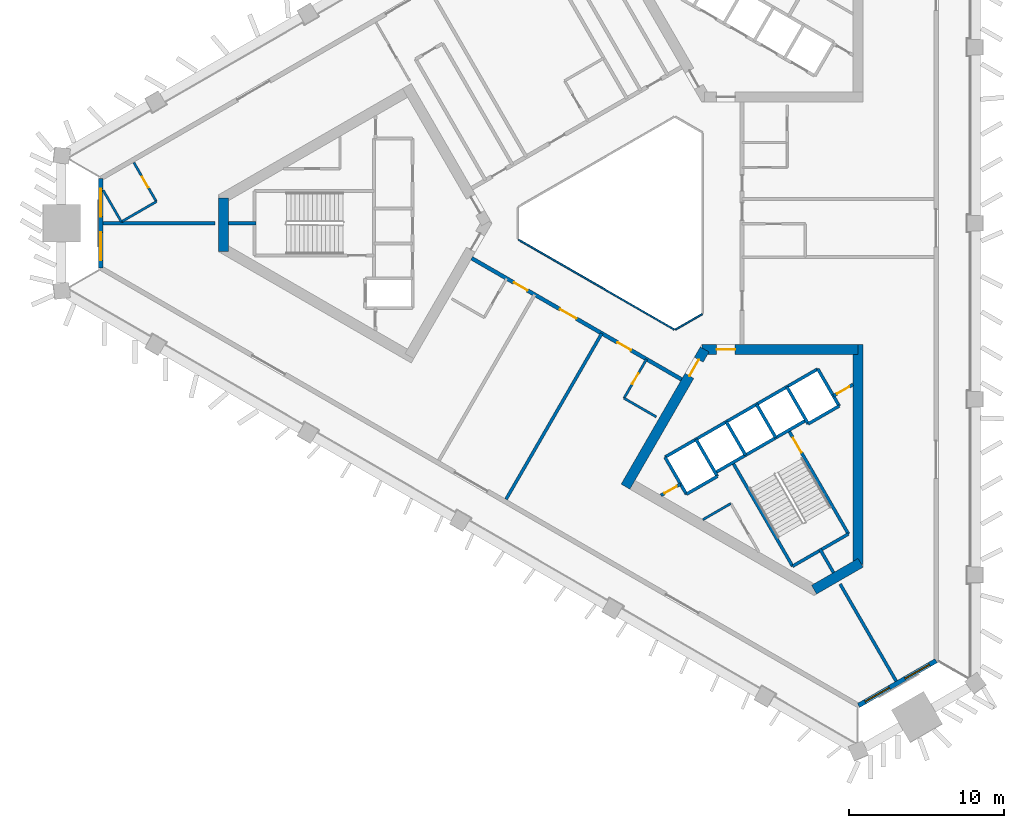
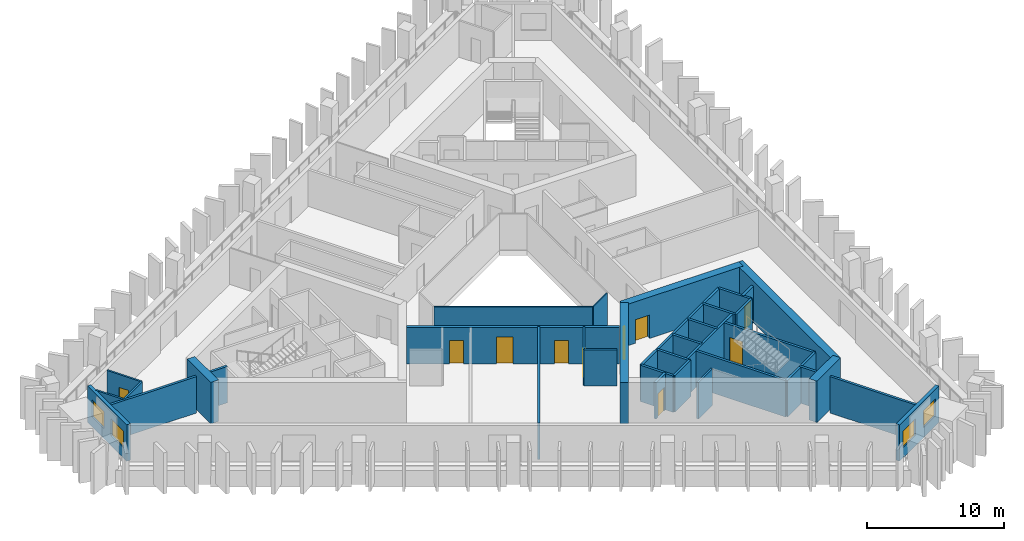
# One storey, part 3 of 10: 36 walls, 10 doors, 4 windows, 14 openings.
"""IFC4 building model written with IfcOpenShell, lengths in metres."""

import ifcopenshell
import ifcopenshell.guid

model = None  # the IFC model being written
_history = None  # IfcOwnerHistory: only IFC2X3 demands one
_inside = {}  # id of a spatial element -> (the spatial element, [elements in it])
_under = {}  # id of a project, library or spatial element -> (it, [spatial elements below it])
_declared = {}  # id of a project -> (the project, [libraries it declares])
_typed = {}  # id of a type object -> (the type object, [elements of that type])
_made_of = {}  # id of a material, layer set ... -> (it, [elements and type objects made of it])


def new_model(schema):
    """Start an empty IFC model of exactly this schema.

    Asked for "IFC4X3", IfcOpenShell would pick the latest addendum, in which some entities
    have other attributes; the version numbers below select the first issue.
    IFC2X3 requires an IfcOwnerHistory on every rooted entity: one is made here for all.
    """
    global model, _history
    if schema == "IFC4X3":
        model = ifcopenshell.file(schema_version=(4, 3, 0, 0))
    else:
        model = ifcopenshell.file(schema=schema)
    _inside.clear()
    _under.clear()
    _declared.clear()
    _typed.clear()
    _made_of.clear()
    _history = None
    if model.schema == "IFC2X3":
        org = make("IfcOrganization", Name="unknown")
        user = make(
            "IfcPersonAndOrganization",
            ThePerson=make("IfcPerson", FamilyName="unknown"),
            TheOrganization=org,
        )
        app = make(
            "IfcApplication",
            ApplicationDeveloper=org,
            Version="unknown",
            ApplicationFullName="unknown",
            ApplicationIdentifier="unknown",
        )
        _history = make(
            "IfcOwnerHistory",
            OwningUser=user,
            OwningApplication=app,
            ChangeAction="ADDED",
            CreationDate=0,
        )
    return model


def make(cls, **values):
    """One entity of the class cls with the attributes given. An attribute that is None is left unset."""
    return model.create_entity(
        cls, **{name: value for name, value in values.items() if value is not None}
    )


def rooted(cls, **values):
    """An entity with a GlobalId (a new one), such as an element, a storey or a relation."""
    return make(cls, GlobalId=ifcopenshell.guid.new(), OwnerHistory=_history, **values)


def si_unit(unit_type, name, prefix=None):
    """IfcSIUnit, for example si_unit("LENGTHUNIT", "METRE", prefix="MILLI")."""
    return make("IfcSIUnit", UnitType=unit_type, Prefix=prefix, Name=name)


def assignment(units):
    """IfcUnitAssignment: the units of a project."""
    return None if units is None else make("IfcUnitAssignment", Units=units)


def point(xyz):
    """IfcCartesianPoint."""
    return None if xyz is None else make("IfcCartesianPoint", Coordinates=xyz)


def direction(xyz):
    """IfcDirection."""
    return None if xyz is None else make("IfcDirection", DirectionRatios=xyz)


def frame(location, z_axis=None, x_axis=None):
    """IfcAxis2Placement3D, a coordinate frame: its origin and axes. An axis left out is left unset."""
    return make(
        "IfcAxis2Placement3D",
        Location=point(location),
        Axis=direction(z_axis),
        RefDirection=direction(x_axis),
    )


def frame_2d(location, x_axis=None):
    """IfcAxis2Placement2D, a coordinate frame in the plane: its origin and x axis."""
    return make(
        "IfcAxis2Placement2D", Location=point(location), RefDirection=direction(x_axis)
    )


def origin():
    """The frame at (0, 0, 0) with its axes left unset."""
    return frame((0.0, 0.0, 0.0))


def place(relative_to, where):
    """IfcLocalPlacement: puts the frame where relative to a parent placement (None: the world)."""
    return make(
        "IfcLocalPlacement", PlacementRelTo=relative_to, RelativePlacement=where
    )


def context(
    kind, dimensions, precision=None, world=None, true_north=None, identifier=None
):
    """IfcGeometricRepresentationContext, for example the 3D "Model" context."""
    return make(
        "IfcGeometricRepresentationContext",
        ContextIdentifier=identifier,
        ContextType=kind,
        CoordinateSpaceDimension=dimensions,
        Precision=precision,
        WorldCoordinateSystem=world,
        TrueNorth=true_north,
    )


def subcontext(parent, identifier, kind, view, scale=None):
    """IfcGeometricRepresentationSubContext, for example "Body" below "Model"."""
    return make(
        "IfcGeometricRepresentationSubContext",
        ContextIdentifier=identifier,
        ContextType=kind,
        ParentContext=parent,
        TargetScale=scale,
        TargetView=view,
    )


def project(units=None, contexts=None):
    """IfcProject with its units and contexts."""
    return rooted(
        "IfcProject",
        Name="project",
        RepresentationContexts=contexts,
        UnitsInContext=assignment(units),
    )


def spatial(cls, under=None, at=None, **own):
    """A site, building, storey or space (cls), placed at a placement, below another one or the project."""
    s = rooted(cls, ObjectPlacement=at, **own)
    if under is not None:
        _under.setdefault(under.id(), (under, []))[1].append(s)
    return s


def profile(cls, at=None, kind="AREA", **sizes):
    """A parametric profile (cls). Its sizes go by their IFC names, for example OverallWidth=200.0."""
    return make(cls, ProfileType=kind, Position=at, **sizes)


def rectangle(**sizes):
    """IfcRectangleProfileDef."""
    return profile("IfcRectangleProfileDef", **sizes)


def extrude(swept, where, along, depth):
    """IfcExtrudedAreaSolid: the profile swept, set in the frame where, extruded along a direction by depth."""
    return make(
        "IfcExtrudedAreaSolid",
        SweptArea=swept,
        Position=where,
        ExtrudedDirection=direction(along),
        Depth=depth,
    )


def shape(context_of_items, identifier, shape_type, items):
    """IfcShapeRepresentation: the items that make up one representation, for example the "Body"."""
    return make(
        "IfcShapeRepresentation",
        ContextOfItems=context_of_items,
        RepresentationIdentifier=identifier,
        RepresentationType=shape_type,
        Items=items,
    )


def material(Name=None, Category=None):
    """IfcMaterial."""
    return make("IfcMaterial", Name=Name, Category=Category)


def layer(
    of_material, thickness, ventilated=None, Name=None, Category=None, Priority=None
):
    """IfcMaterialLayer: one layer of a wall or slab, of a material (None: an air gap)."""
    return make(
        "IfcMaterialLayer",
        Material=of_material,
        LayerThickness=thickness,
        IsVentilated=ventilated,
        Name=Name,
        Category=Category,
        Priority=Priority,
    )


def layer_set(layers, Name=None):
    """IfcMaterialLayerSet."""
    return make("IfcMaterialLayerSet", MaterialLayers=layers, LayerSetName=Name)


def made_of(thing, what):
    """Note that an element or type object is made of a material, layer set ...; save() writes the relation."""
    if what is not None:
        _made_of.setdefault(what.id(), (what, []))[1].append(thing)
    return thing


def type_object(cls, material=None, **own):
    """A type object (cls), such as IfcWallType, which elements share."""
    return made_of(rooted(cls, **own), material)


def element(
    cls,
    number,
    at=None,
    inside=None,
    cuts=None,
    type_object=None,
    material=None,
    context=None,
    identifier="Body",
    shape_type=None,
    held_by="IfcProductDefinitionShape",
    body=None,
    shapes=None,
    **own,
):
    """One element of the class cls, such as IfcWall. Its Tag is "e" and its number.

    at: its placement. inside: the storey or other place that contains it. cuts: it is an
    opening in that element (IfcRelVoidsElement). A single representation is given by context,
    identifier, shape_type and body (its items); several are given by shapes. held_by: the class
    of the entity that holds the representations. save() writes the other relations.
    """
    e = rooted(cls, Tag="e%d" % number, ObjectPlacement=at, **own)
    if body is not None:
        shapes = [shape(context, identifier, shape_type, body)]
    if shapes is not None:
        e.Representation = make(held_by, Representations=shapes)
    if inside is not None:
        _inside.setdefault(inside.id(), (inside, []))[1].append(e)
    if cuts is not None:
        rooted(
            "IfcRelVoidsElement", RelatingBuildingElement=cuts, RelatedOpeningElement=e
        )
    if type_object is not None:
        _typed.setdefault(type_object.id(), (type_object, []))[1].append(e)
    return made_of(e, material)


def fill(opening, filler):
    """IfcRelFillsElement: the door or window that sits in an opening."""
    return rooted(
        "IfcRelFillsElement",
        RelatingOpeningElement=opening,
        RelatedBuildingElement=filler,
    )


def aggregate(whole, parts):
    """IfcRelAggregates: a whole, such as a stair, and the parts it consists of."""
    return rooted("IfcRelAggregates", RelatingObject=whole, RelatedObjects=parts)


def save(model, path):
    """Write the relations noted so far, then the file.

    IfcRelAggregates (storeys below a building ...), IfcRelContainedInSpatialStructure (elements
    in a storey), IfcRelDefinesByType, IfcRelAssociatesMaterial and IfcRelDeclares: one each for
    every whole, place, type object, material and project.
    """
    for whole, parts in _under.values():
        aggregate(whole, parts)
    for where, things in _inside.values():
        rooted(
            "IfcRelContainedInSpatialStructure",
            RelatedElements=things,
            RelatingStructure=where,
        )
    for kind, things in _typed.values():
        rooted("IfcRelDefinesByType", RelatedObjects=things, RelatingType=kind)
    for what, things in _made_of.values():
        rooted("IfcRelAssociatesMaterial", RelatedObjects=things, RelatingMaterial=what)
    for by, libraries in _declared.values():
        rooted("IfcRelDeclares", RelatingContext=by, RelatedDefinitions=libraries)
    model.write(path)


model = new_model("IFC4")

# Units and contexts
model_context = context("Model", 3, precision=1e-05, world=origin(), true_north=direction((0.0, 1.0)))
body_context = subcontext(model_context, "Body", "Model", "MODEL_VIEW")
ifc_project = project(units=[si_unit("LENGTHUNIT", "METRE"), si_unit("AREAUNIT", "SQUARE_METRE"), si_unit("VOLUMEUNIT", "CUBIC_METRE"), si_unit("PLANEANGLEUNIT", "RADIAN"), si_unit("MASSUNIT", "GRAM", prefix="KILO")], contexts=[model_context])

# Site, building, storey
site_placement = place(None, origin())
site = spatial("IfcSite", under=ifc_project, at=site_placement, CompositionType="ELEMENT")
building_placement = place(site_placement, origin())
building = spatial("IfcBuilding", under=site, at=building_placement, Name="Jabali Bay Hotel Tower and Convention Centre", CompositionType="ELEMENT")
storey_placement = place(building_placement, frame((0.0, 0.0, 125.300048828125)))
storey = spatial("IfcBuildingStorey", under=building, at=storey_placement, Name="L30", CompositionType="ELEMENT", Elevation=125.300048828125)

# Walls
ifc_material_1 = material(Name="Fire-resistant glazing", Category="glass")
ifc_layer_1 = layer(ifc_material_1, 0.10009765625)
ifc_layer_set_1 = layer_set([ifc_layer_1], Name="Fire-resistant glazing")
wall_type_1 = type_object("IfcWallType", Name="Atrium glazed screen 100", PredefinedType="PARTITIONING", material=ifc_layer_set_1)
wall_1_placement = place(storey_placement, frame((67.7021484375, 78.947998046875, 0.0), z_axis=(0.0, 0.0, 1.0), x_axis=(0.866026658274, -0.499997827154, 0.0)))
element("IfcWall", 1, at=wall_1_placement, inside=storey, type_object=wall_type_1, Name="Atrium screen 5 L30", PredefinedType="PARTITIONING", context=body_context, shape_type="SweptSolid", body=[
    extrude(rectangle(XDim=11.58837890625, YDim=0.10009765625, at=frame_2d((5.794189453125, 0.0))), origin(), (0.0, 0.0, 1.0), 3.25),
])
wall_2_placement = place(storey_placement, frame((77.7978515625, 73.15380859375, 0.0), z_axis=(0.0, 0.0, 1.0), x_axis=(0.866041268327, 0.499972520799, 0.0)))
element("IfcWall", 2, at=wall_2_placement, inside=storey, type_object=wall_type_1, Name="Atrium screen 6 L30", PredefinedType="PARTITIONING", context=body_context, shape_type="SweptSolid", body=[
    extrude(rectangle(XDim=2.0, YDim=0.10009765625, at=frame_2d((1.0, 0.0))), origin(), (0.0, 0.0, 1.0), 3.25),
])
ifc_material_2 = material(Name="Concrete C40", Category="concrete")
ifc_layer_2 = layer(ifc_material_2, 0.199951171875)
ifc_layer_set_2 = layer_set([ifc_layer_2], Name="Concrete C40")
wall_type_2 = type_object("IfcWallType", Name="Core partition wall 200", PredefinedType="PARTITIONING", material=ifc_layer_set_2)
for number, where, z_axis, x_axis, name in (
    (3, (50.820068359375, 80.0, 0.0), (0.0, 0.0, 1.0), (-1.0, 0.0, 0.0), "Core wall 0.4 L30"),
    (4, (87.090087890625, 59.0595703125, 0.0), (0.0, 0.0, 1.0), (0.499944938281, -0.866057191349, 0.0), "Core wall 2.5 L30"),
):
    element("IfcWall", number, at=place(storey_placement, frame(where, z_axis=z_axis, x_axis=x_axis)), inside=storey, type_object=wall_type_2, Name=name, PredefinedType="PARTITIONING", context=body_context, shape_type="SweptSolid", body=[
        extrude(rectangle(XDim=1.773193359375, YDim=0.199951171875, at=frame_2d((0.88671875, 0.0))), origin(), (0.0, 0.0, 1.0), 3.25),
    ])

# Wall, opening, door
wall_3_placement = place(storey_placement, frame((76.869873046875, 62.489013671875, 0.0), z_axis=(0.0, 0.0, 1.0), x_axis=(0.866054810376, 0.49994906283, 0.0)))
wall_3 = element("IfcWall", 5, at=wall_3_placement, inside=storey, type_object=wall_type_2, Name="Core wall 2.11 L30", PredefinedType="PARTITIONING", context=body_context, shape_type="SweptSolid", body=[
    extrude(rectangle(XDim=1.461181640625, YDim=0.199951171875, at=frame_2d((0.73046875, 0.0))), origin(), (0.0, 0.0, 1.0), 3.25),
])
opening_1_placement = place(wall_3_placement, frame((0.280517578125, 0.0, 0.0)))
opening_1 = element("IfcOpeningElement", 6, at=opening_1_placement, cuts=wall_3, Name="Opening D677", PredefinedType="OPENING", context=body_context, shape_type="SweptSolid", body=[
    extrude(rectangle(XDim=0.89990234375, YDim=2.10009765625, at=frame_2d((0.449951171875, 1.050048828125))), frame((0.0, 0.1103515625, 0.0), z_axis=(0.0, -1.0, 0.0), x_axis=(1.0, 0.0, 0.0)), (0.0, 0.0, 1.0), 0.220947265625),
])
ifc_material_3 = material(Name="Fire-rated steel door", Category="steel")
door_type_1 = type_object("IfcDoorType", Name="Vestibule fire door 900 x 2100", OperationType="NOTDEFINED", PredefinedType="NOTDEFINED", material=ifc_material_3)
door_1_placement = place(opening_1_placement, origin())
door_1 = element("IfcDoor", 7, at=door_1_placement, inside=storey, type_object=door_type_1, Name="Vestibule fire door D677", OperationType="SINGLE_SWING_LEFT", OverallHeight=2.10009765625, OverallWidth=0.89990234375, PredefinedType="NOTDEFINED", context=body_context, shape_type="SweptSolid", body=[
    extrude(rectangle(XDim=0.89990234375, YDim=2.10009765625, at=frame_2d((0.449951171875, 1.050048828125))), frame((0.0, 0.02490234375, 0.0), z_axis=(0.0, -1.0, 0.0), x_axis=(1.0, 0.0, 0.0)), (0.0, 0.0, 1.0), 0.050048828125),
])
fill(opening_1, door_1)

wall_4_placement = place(storey_placement, frame((87.964599609375, 68.89453125, 0.0), z_axis=(0.0, 0.0, 1.0), x_axis=(0.866054810376, 0.49994906283, 0.0)))
wall_4 = element("IfcWall", 8, at=wall_4_placement, inside=storey, type_object=wall_type_2, Name="Core wall 2.12 L30", PredefinedType="PARTITIONING", context=body_context, shape_type="SweptSolid", body=[
    extrude(rectangle(XDim=1.461181640625, YDim=0.199951171875, at=frame_2d((0.73046875, 0.0))), origin(), (0.0, 0.0, 1.0), 3.25),
])
opening_2_placement = place(wall_4_placement, frame((0.280517578125, 0.0, 0.0)))
opening_2 = element("IfcOpeningElement", 9, at=opening_2_placement, cuts=wall_4, Name="Opening D676", PredefinedType="OPENING", context=body_context, shape_type="SweptSolid", body=[
    extrude(rectangle(XDim=0.89990234375, YDim=2.10009765625, at=frame_2d((0.449951171875, 1.050048828125))), frame((0.0, 0.1103515625, 0.0), z_axis=(0.0, -1.0, 0.0), x_axis=(1.0, 0.0, 0.0)), (0.0, 0.0, 1.0), 0.220947265625),
])
door_2_placement = place(opening_2_placement, origin())
door_2 = element("IfcDoor", 10, at=door_2_placement, inside=storey, type_object=door_type_1, Name="Vestibule fire door D676", OperationType="SINGLE_SWING_LEFT", OverallHeight=2.10009765625, OverallWidth=0.89990234375, PredefinedType="NOTDEFINED", context=body_context, shape_type="SweptSolid", body=[
    extrude(rectangle(XDim=0.89990234375, YDim=2.10009765625, at=frame_2d((0.449951171875, 1.050048828125))), frame((0.0, 0.02490234375, 0.0), z_axis=(0.0, -1.0, 0.0), x_axis=(1.0, 0.0, 0.0)), (0.0, 0.0, 1.0), 0.050048828125),
])
fill(opening_2, door_2)

# Walls
ifc_material_4 = material(Name="Fire-rated board partition")
ifc_layer_3 = layer(ifc_material_4, 0.14990234375)
ifc_layer_set_3 = layer_set([ifc_layer_3], Name="Fire-rated board partition")
wall_type_3 = type_object("IfcWallType", Name="Core room partition 150", PredefinedType="PARTITIONING", material=ifc_layer_set_3)
wall_5_placement = place(storey_placement, frame((79.570068359375, 60.93017578125, 0.0), z_axis=(0.0, 0.0, 1.0), x_axis=(0.866021168401, 0.500007335828, 0.0)))
element("IfcWall", 11, at=wall_5_placement, inside=storey, type_object=wall_type_3, Name="Core wall 2.16 L30", PredefinedType="PARTITIONING", context=body_context, shape_type="SweptSolid", body=[
    extrude(rectangle(XDim=2.0771484375, YDim=0.14990234375, at=frame_2d((1.03857421875, 0.0))), origin(), (0.0, 0.0, 1.0), 3.25),
])
ifc_layer_4 = layer(ifc_material_2, 0.199951171875)
ifc_layer_set_4 = layer_set([ifc_layer_4], Name="Concrete C40")
wall_type_4 = type_object("IfcWallType", Name="Core stair wall 200", PredefinedType="SOLIDWALL", material=ifc_layer_set_4)
for number, where, z_axis, x_axis, name in (
    (12, (77.13525390625, 64.95166015625, 0.0), (0.0, 0.0, 1.0), (0.499996545922, -0.866027397988, 0.0), "Core wall 2.0 L30"),
    (13, (79.127197265625, 66.1015625, 0.0), (0.0, 0.0, 1.0), (0.499996545922, -0.866027397988, 0.0), "Core wall 2.2 L30"),
):
    element("IfcWall", number, at=place(storey_placement, frame(where, z_axis=z_axis, x_axis=x_axis)), inside=storey, type_object=wall_type_4, Name=name, PredefinedType="SOLIDWALL", context=body_context, shape_type="SweptSolid", body=[
        extrude(rectangle(XDim=2.75, YDim=0.199951171875, at=frame_2d((1.375, 0.0))), origin(), (0.0, 0.0, 1.0), 3.25),
    ])
wall_6_placement = place(storey_placement, frame((81.492919921875, 64.603759765625, 0.0), z_axis=(0.0, 0.0, 1.0), x_axis=(0.500006057782, -0.866021906294, 0.0)))
element("IfcWall", 14, at=wall_6_placement, inside=storey, type_object=wall_type_4, Name="Core wall 2.3 L30", PredefinedType="SOLIDWALL", context=body_context, shape_type="SweptSolid", body=[
    extrude(rectangle(XDim=7.7001953125, YDim=0.199951171875, at=frame_2d((3.85009765625, 0.0))), origin(), (0.0, 0.0, 1.0), 3.25),
])
for number, where, z_axis, x_axis, name in (
    (15, (81.07568359375, 67.2265625, 0.0), (0.0, 0.0, 1.0), (0.50000366821, -0.866023285932, 0.0), "Core wall 2.4 L30"),
    (16, (83.024169921875, 68.3515625, 0.0), (0.0, 0.0, 1.0), (0.50000366821, -0.866023285932, 0.0), "Core wall 2.6 L30"),
):
    element("IfcWall", number, at=place(storey_placement, frame(where, z_axis=z_axis, x_axis=x_axis)), inside=storey, type_object=wall_type_4, Name=name, PredefinedType="SOLIDWALL", context=body_context, shape_type="SweptSolid", body=[
        extrude(rectangle(XDim=2.47998046875, YDim=0.199951171875, at=frame_2d((1.239990234375, 0.0))), origin(), (0.0, 0.0, 1.0), 3.25),
    ])

# Wall, opening, door
wall_7_placement = place(storey_placement, frame((85.0869140625, 66.6787109375, 0.0), z_axis=(0.0, 0.0, 1.0), x_axis=(0.500019787375, -0.866013979237, 0.0)))
wall_7 = element("IfcWall", 17, at=wall_7_placement, inside=storey, type_object=wall_type_4, Name="Core wall 2.7 L30", PredefinedType="SOLIDWALL", context=body_context, shape_type="SweptSolid", body=[
    extrude(rectangle(XDim=7.699951171875, YDim=0.199951171875, at=frame_2d((3.85009765625, 0.0))), origin(), (0.0, 0.0, 1.0), 3.25),
])
opening_3_placement = place(wall_7_placement, frame((0.550048828125, 0.0, 0.0)))
opening_3 = element("IfcOpeningElement", 18, at=opening_3_placement, cuts=wall_7, Name="Opening D678", PredefinedType="OPENING", context=body_context, shape_type="SweptSolid", body=[
    extrude(rectangle(XDim=1.10009765625, YDim=2.10009765625, at=frame_2d((0.550048828125, 1.050048828125))), frame((0.0, 0.1103515625, 0.0), z_axis=(0.0, -1.0, 0.0), x_axis=(1.0, 0.0, 0.0)), (0.0, 0.0, 1.0), 0.220947265625),
])
door_type_2 = type_object("IfcDoorType", Name="Stair fire door 1100 x 2100", OperationType="NOTDEFINED", PredefinedType="NOTDEFINED", material=ifc_material_3)
door_3_placement = place(opening_3_placement, origin())
door_3 = element("IfcDoor", 19, at=door_3_placement, inside=storey, type_object=door_type_2, Name="Stair fire door D678", OperationType="SINGLE_SWING_RIGHT", OverallHeight=2.10009765625, OverallWidth=1.10009765625, PredefinedType="NOTDEFINED", context=body_context, shape_type="SweptSolid", body=[
    extrude(rectangle(XDim=1.10009765625, YDim=2.10009765625, at=frame_2d((0.550048828125, 1.050048828125))), frame((0.0, 0.02490234375, 0.0), z_axis=(0.0, -1.0, 0.0), x_axis=(1.0, 0.0, 0.0)), (0.0, 0.0, 1.0), 0.050048828125),
])
fill(opening_3, door_3)

# Walls
for number, where, z_axis, x_axis, name in (
    (20, (84.972900390625, 69.4765625, 0.0), (0.0, 0.0, 1.0), (0.499996545922, -0.866027397988, 0.0), "Core wall 2.8 L30"),
    (21, (86.964599609375, 70.62646484375, 0.0), (0.0, 0.0, 1.0), (0.499996545922, -0.866027397988, 0.0), "Core wall 2.9 L30"),
):
    element("IfcWall", number, at=place(storey_placement, frame(where, z_axis=z_axis, x_axis=x_axis)), inside=storey, type_object=wall_type_4, Name=name, PredefinedType="SOLIDWALL", context=body_context, shape_type="SweptSolid", body=[
        extrude(rectangle(XDim=2.75, YDim=0.199951171875, at=frame_2d((1.375, 0.0))), origin(), (0.0, 0.0, 1.0), 3.25),
    ])
wall_8_placement = place(storey_placement, frame((77.13525390625, 64.95166015625, 0.0), z_axis=(0.0, 0.0, 1.0), x_axis=(0.866031916153, 0.499988720078, 0.0)))
element("IfcWall", 22, at=wall_8_placement, inside=storey, type_object=wall_type_4, Name="Core wall 2.10 L30", PredefinedType="SOLIDWALL", context=body_context, shape_type="SweptSolid", body=[
    extrude(rectangle(XDim=11.349853515625, YDim=0.199951171875, at=frame_2d((5.6748046875, 0.0))), origin(), (0.0, 0.0, 1.0), 3.25),
])
wall_9_placement = place(storey_placement, frame((80.3671875, 63.953857421875, 0.0), z_axis=(0.0, 0.0, 1.0), x_axis=(0.866026575979, 0.499997969693, 0.0)))
element("IfcWall", 23, at=wall_9_placement, inside=storey, type_object=wall_type_4, Name="Core wall 2.13 L30", PredefinedType="SOLIDWALL", context=body_context, shape_type="SweptSolid", body=[
    extrude(rectangle(XDim=6.75, YDim=0.199951171875, at=frame_2d((3.375, 0.0))), origin(), (0.0, 0.0, 1.0), 3.25),
])
wall_10_placement = place(storey_placement, frame((78.51025390625, 62.570068359375, 0.0), z_axis=(0.0, 0.0, 1.0), x_axis=(0.866053019151, 0.499952165731, 0.0)))
element("IfcWall", 24, at=wall_10_placement, inside=storey, type_object=wall_type_4, Name="Core wall 2.14 L30", PredefinedType="SOLIDWALL", context=body_context, shape_type="SweptSolid", body=[
    extrude(rectangle(XDim=2.300048828125, YDim=0.199951171875, at=frame_2d((1.14990234375, 0.0))), origin(), (0.0, 0.0, 1.0), 3.25),
])
wall_11_placement = place(storey_placement, frame((86.347900390625, 67.094970703125, 0.0), z_axis=(0.0, 0.0, 1.0), x_axis=(0.86602648383, 0.499998129301, 0.0)))
element("IfcWall", 25, at=wall_11_placement, inside=storey, type_object=wall_type_4, Name="Core wall 2.15 L30", PredefinedType="SOLIDWALL", context=body_context, shape_type="SweptSolid", body=[
    extrude(rectangle(XDim=2.2998046875, YDim=0.199951171875, at=frame_2d((1.14990234375, 0.0))), origin(), (0.0, 0.0, 1.0), 3.25),
])
wall_12_placement = place(storey_placement, frame((85.343017578125, 57.935302734375, 0.0), z_axis=(0.0, 0.0, 1.0), x_axis=(0.866004344652, 0.500036473714, 0.0)))
element("IfcWall", 26, at=wall_12_placement, inside=storey, type_object=wall_type_4, Name="Core wall 2.17 L30", PredefinedType="SOLIDWALL", context=body_context, shape_type="SweptSolid", body=[
    extrude(rectangle(XDim=4.150146484375, YDim=0.199951171875, at=frame_2d((2.0751953125, 0.0))), origin(), (0.0, 0.0, 1.0), 3.25),
])
ifc_material_5 = material(Name="Concrete C60", Category="concrete")
ifc_layer_5 = layer(ifc_material_5, 0.64990234375)
ifc_layer_set_5 = layer_set([ifc_layer_5], Name="Concrete C60")
wall_type_5 = type_object("IfcWallType", Name="Core wall 650", PredefinedType="SHEAR", material=ifc_layer_set_5)
wall_13_placement = place(storey_placement, frame((48.721923828125, 81.635009765625, 0.0), z_axis=(0.0, 0.0, 1.0), x_axis=(0.0, -1.0, 0.0)))
element("IfcWall", 27, at=wall_13_placement, inside=storey, type_object=wall_type_5, Name="Core wall 1.3 L30", PredefinedType="SHEAR", context=body_context, shape_type="SweptSolid", body=[
    extrude(rectangle(XDim=3.457763671875, YDim=0.64990234375, at=frame_2d((1.72900390625, 0.0))), origin(), (0.0, 0.0, 1.0), 3.699951171875),
])

# Wall, opening, door
wall_14_placement = place(storey_placement, frame((79.687744140625, 71.880859375, 0.0), z_axis=(0.0, 0.0, 1.0), x_axis=(-0.49999822179, -0.866026430432, 0.0)))
wall_14 = element("IfcWall", 28, at=wall_14_placement, inside=storey, type_object=wall_type_5, Name="Core wall 3.1 L30", PredefinedType="SHEAR", context=body_context, shape_type="SweptSolid", body=[
    extrude(rectangle(XDim=10.1923828125, YDim=0.64990234375, at=frame_2d((5.09619140625, 0.0))), origin(), (0.0, 0.0, 1.0), 3.699951171875),
])
opening_4_placement = place(wall_14_placement, frame((0.762451171875, 0.0, 0.0)))
opening_4 = element("IfcOpeningElement", 29, at=opening_4_placement, cuts=wall_14, Name="Opening D674", PredefinedType="OPENING", context=body_context, shape_type="SweptSolid", body=[
    extrude(rectangle(XDim=1.199951171875, YDim=2.10009765625, at=frame_2d((0.60009765625, 1.050048828125))), frame((0.0, 0.33544921875, 0.0), z_axis=(0.0, -1.0, 0.0), x_axis=(1.0, 0.0, 0.0)), (0.0, 0.0, 1.0), 0.6708984375),
])
door_type_3 = type_object("IfcDoorType", Name="Corridor end fire door 1200 x 2100", OperationType="NOTDEFINED", PredefinedType="NOTDEFINED", material=ifc_material_3)
door_4_placement = place(opening_4_placement, origin())
door_4 = element("IfcDoor", 30, at=door_4_placement, inside=storey, type_object=door_type_3, Name="Corridor end fire door D674", OperationType="SINGLE_SWING_RIGHT", OverallHeight=2.10009765625, OverallWidth=1.199951171875, PredefinedType="NOTDEFINED", context=body_context, shape_type="SweptSolid", body=[
    extrude(rectangle(XDim=1.199951171875, YDim=2.10009765625, at=frame_2d((0.60009765625, 1.050048828125))), frame((0.0, 0.02490234375, 0.0), z_axis=(0.0, -1.0, 0.0), x_axis=(1.0, 0.0, 0.0)), (0.0, 0.0, 1.0), 0.050048828125),
])
fill(opening_4, door_4)

# Walls
wall_15_placement = place(storey_placement, frame((86.72314453125, 56.425048828125, 0.0), z_axis=(0.0, 0.0, 1.0), x_axis=(0.866031550877, 0.499989352773, 0.0)))
element("IfcWall", 31, at=wall_15_placement, inside=storey, type_object=wall_type_5, Name="Core wall 3.3 L30", PredefinedType="SHEAR", context=body_context, shape_type="SweptSolid", body=[
    extrude(rectangle(XDim=3.45751953125, YDim=0.64990234375, at=frame_2d((1.728759765625, 0.0))), origin(), (0.0, 0.0, 1.0), 3.699951171875),
])
wall_16_placement = place(storey_placement, frame((89.554931640625, 58.06005859375, 0.0), z_axis=(0.0, 0.0, 1.0), x_axis=(0.0, 1.0, 0.0)))
element("IfcWall", 32, at=wall_16_placement, inside=storey, type_object=wall_type_5, Name="Core wall 3.4 L30", PredefinedType="SHEAR", context=body_context, shape_type="SweptSolid", body=[
    extrude(rectangle(XDim=14.145751953125, YDim=0.64990234375, at=frame_2d((7.07275390625, 0.0))), origin(), (0.0, 0.0, 1.0), 3.699951171875),
])

# Wall, opening, door
wall_17_placement = place(storey_placement, frame((89.554931640625, 71.880859375, 0.0), z_axis=(0.0, 0.0, 1.0), x_axis=(-1.0, 0.0, 0.0)))
wall_17 = element("IfcWall", 33, at=wall_17_placement, inside=storey, type_object=wall_type_5, Name="Core wall 3.5 L30", PredefinedType="SHEAR", context=body_context, shape_type="SweptSolid", body=[
    extrude(rectangle(XDim=10.054931640625, YDim=0.64990234375, at=frame_2d((5.02734375, 0.0))), origin(), (0.0, 0.0, 1.0), 3.699951171875),
])
opening_5_placement = place(wall_17_placement, frame((7.905029296875, 0.0, 0.0)))
opening_5 = element("IfcOpeningElement", 34, at=opening_5_placement, cuts=wall_17, Name="Opening D675", PredefinedType="OPENING", context=body_context, shape_type="SweptSolid", body=[
    extrude(rectangle(XDim=1.199951171875, YDim=2.10009765625, at=frame_2d((0.60009765625, 1.050048828125))), frame((0.0, 0.33544921875, 0.0), z_axis=(0.0, -1.0, 0.0), x_axis=(1.0, 0.0, 0.0)), (0.0, 0.0, 1.0), 0.6708984375),
])
door_5_placement = place(opening_5_placement, origin())
door_5 = element("IfcDoor", 35, at=door_5_placement, inside=storey, type_object=door_type_3, Name="Corridor end fire door D675", OperationType="SINGLE_SWING_LEFT", OverallHeight=2.10009765625, OverallWidth=1.199951171875, PredefinedType="NOTDEFINED", context=body_context, shape_type="SweptSolid", body=[
    extrude(rectangle(XDim=1.199951171875, YDim=2.10009765625, at=frame_2d((0.60009765625, 1.050048828125))), frame((0.0, 0.02490234375, 0.0), z_axis=(0.0, -1.0, 0.0), x_axis=(1.0, 0.0, 0.0)), (0.0, 0.0, 1.0), 0.050048828125),
])
fill(opening_5, door_5)

# Wall, openings, doors
ifc_layer_6 = layer(ifc_material_5, 0.25)
ifc_layer_set_6 = layer_set([ifc_layer_6], Name="Concrete C60")
wall_type_6 = type_object("IfcWallType", Name="Corridor wall 250", PredefinedType="SHEAR", material=ifc_layer_set_6)
wall_18_placement = place(storey_placement, frame((64.699951171875, 77.748291015625, 0.0), z_axis=(0.0, 0.0, 1.0), x_axis=(0.866026492143, -0.499998114903, 0.0)))
wall_18 = element("IfcWall", 36, at=wall_18_placement, inside=storey, type_object=wall_type_6, Name="Corridor wall 3 L30", PredefinedType="SHEAR", context=body_context, shape_type="SweptSolid", body=[
    extrude(rectangle(XDim=15.58837890625, YDim=0.25, at=frame_2d((7.794189453125, 0.0))), origin(), (0.0, 0.0, 1.0), 3.25),
])
opening_6_placement = place(wall_18_placement, frame((3.13818359375, 0.0, 0.0)))
opening_6 = element("IfcOpeningElement", 37, at=opening_6_placement, cuts=wall_18, Name="Opening 3018", PredefinedType="OPENING", context=body_context, shape_type="SweptSolid", body=[
    extrude(rectangle(XDim=1.0, YDim=2.10009765625, at=frame_2d((0.5, 1.050048828125))), frame((0.0, 0.135498046875, 0.0), z_axis=(0.0, -1.0, 0.0), x_axis=(1.0, 0.0, 0.0)), (0.0, 0.0, 1.0), 0.27099609375),
])
opening_7_placement = place(wall_18_placement, frame((6.57080078125, 0.0, 0.0)))
opening_7 = element("IfcOpeningElement", 38, at=opening_7_placement, cuts=wall_18, Name="Opening 3019", PredefinedType="OPENING", context=body_context, shape_type="SweptSolid", body=[
    extrude(rectangle(XDim=1.199951171875, YDim=2.39990234375, at=frame_2d((0.60009765625, 1.199951171875))), frame((0.0, 0.135498046875, 0.0), z_axis=(0.0, -1.0, 0.0), x_axis=(1.0, 0.0, 0.0)), (0.0, 0.0, 1.0), 0.27099609375),
])
opening_8_placement = place(wall_18_placement, frame((10.82666015625, 0.0, 0.0)))
opening_8 = element("IfcOpeningElement", 39, at=opening_8_placement, cuts=wall_18, Name="Opening 3021", PredefinedType="OPENING", context=body_context, shape_type="SweptSolid", body=[
    extrude(rectangle(XDim=1.0, YDim=2.10009765625, at=frame_2d((0.5, 1.050048828125))), frame((0.0, 0.135498046875, 0.0), z_axis=(0.0, -1.0, 0.0), x_axis=(1.0, 0.0, 0.0)), (0.0, 0.0, 1.0), 0.27099609375),
])
ifc_material_6 = material(Name="Timber", Category="wood")
door_type_4 = type_object("IfcDoorType", Name="Guest room door 1000 x 2100", OperationType="NOTDEFINED", PredefinedType="NOTDEFINED", material=ifc_material_6)
door_6_placement = place(opening_6_placement, origin())
door_6 = element("IfcDoor", 40, at=door_6_placement, inside=storey, type_object=door_type_4, Name="Door 3018", OperationType="SINGLE_SWING_LEFT", OverallHeight=2.10009765625, OverallWidth=1.0, PredefinedType="NOTDEFINED", context=body_context, shape_type="SweptSolid", body=[
    extrude(rectangle(XDim=1.0, YDim=2.10009765625, at=frame_2d((0.5, 1.050048828125))), frame((0.0, 0.02490234375, 0.0), z_axis=(0.0, -1.0, 0.0), x_axis=(1.0, 0.0, 0.0)), (0.0, 0.0, 1.0), 0.050048828125),
])
fill(opening_6, door_6)
door_7_placement = place(opening_8_placement, origin())
door_7 = element("IfcDoor", 41, at=door_7_placement, inside=storey, type_object=door_type_4, Name="Door 3021", OperationType="SINGLE_SWING_RIGHT", OverallHeight=2.10009765625, OverallWidth=1.0, PredefinedType="NOTDEFINED", context=body_context, shape_type="SweptSolid", body=[
    extrude(rectangle(XDim=1.0, YDim=2.10009765625, at=frame_2d((0.5, 1.050048828125))), frame((0.0, 0.02490234375, 0.0), z_axis=(0.0, -1.0, 0.0), x_axis=(1.0, 0.0, 0.0)), (0.0, 0.0, 1.0), 0.050048828125),
])
fill(opening_8, door_7)
door_type_5 = type_object("IfcDoorType", Name="Public room door 1200 x 2400", OperationType="NOTDEFINED", PredefinedType="NOTDEFINED", material=ifc_material_6)
door_8_placement = place(opening_7_placement, origin())
door_8 = element("IfcDoor", 42, at=door_8_placement, inside=storey, type_object=door_type_5, Name="Door 3019", OperationType="SINGLE_SWING_LEFT", OverallHeight=2.39990234375, OverallWidth=1.199951171875, PredefinedType="NOTDEFINED", context=body_context, shape_type="SweptSolid", body=[
    extrude(rectangle(XDim=1.199951171875, YDim=2.39990234375, at=frame_2d((0.60009765625, 1.199951171875))), frame((0.0, 0.02490234375, 0.0), z_axis=(0.0, -1.0, 0.0), x_axis=(1.0, 0.0, 0.0)), (0.0, 0.0, 1.0), 0.050048828125),
])
fill(opening_7, door_8)

# Wall, openings, windows
ifc_layer_7 = layer(ifc_material_2, 0.300048828125)
ifc_layer_set_7 = layer_set([ifc_layer_7], Name="Concrete C40")
wall_type_7 = type_object("IfcWallType", Name="External wall 300", PredefinedType="SOLIDWALL", material=ifc_layer_set_7)
wall_19_placement = place(storey_placement, frame((40.836181640625, 77.1201171875, 0.0), z_axis=(0.0, 0.0, 1.0), x_axis=(0.0, 1.0, 0.0)))
wall_19 = element("IfcWall", 43, at=wall_19_placement, inside=storey, type_object=wall_type_7, Name="External wall west chamfer L30", PredefinedType="SOLIDWALL", context=body_context, shape_type="SweptSolid", body=[
    extrude(rectangle(XDim=5.759765625, YDim=0.300048828125, at=frame_2d((2.8798828125, 0.0))), origin(), (0.0, 0.0, 1.0), 3.25),
])
opening_9_placement = place(wall_19_placement, frame((3.302978515625, 0.0, 0.89990234375)))
opening_9 = element("IfcOpeningElement", 44, at=opening_9_placement, cuts=wall_19, Name="Opening W1", PredefinedType="OPENING", context=body_context, shape_type="SweptSolid", body=[
    extrude(rectangle(XDim=1.800048828125, YDim=1.5, at=frame_2d((0.89990234375, 0.75))), frame((0.0, 0.16064453125, 0.0), z_axis=(0.0, -1.0, 0.0), x_axis=(1.0, 0.0, 0.0)), (0.0, 0.0, 1.0), 0.321044921875),
])
opening_10_placement = place(wall_19_placement, frame((0.4970703125, 0.0, 0.89990234375)))
opening_10 = element("IfcOpeningElement", 45, at=opening_10_placement, cuts=wall_19, Name="Opening W1", PredefinedType="OPENING", context=body_context, shape_type="SweptSolid", body=[
    extrude(rectangle(XDim=1.800048828125, YDim=1.5, at=frame_2d((0.89990234375, 0.75))), frame((0.0, 0.16064453125, 0.0), z_axis=(0.0, -1.0, 0.0), x_axis=(1.0, 0.0, 0.0)), (0.0, 0.0, 1.0), 0.321044921875),
])
ifc_material_7 = material(Name="Glass", Category="glass")
window_type = type_object("IfcWindowType", Name="Window 1800 x 1500", PartitioningType="SINGLE_PANEL", PredefinedType="WINDOW", material=ifc_material_7)
window_1_placement = place(opening_9_placement, origin())
window_1 = element("IfcWindow", 46, at=window_1_placement, inside=storey, type_object=window_type, Name="Window 3007", OverallHeight=1.5, OverallWidth=1.800048828125, PartitioningType="SINGLE_PANEL", PredefinedType="WINDOW", context=body_context, shape_type="SweptSolid", body=[
    extrude(rectangle(XDim=1.800048828125, YDim=1.5, at=frame_2d((0.89990234375, 0.75))), frame((0.0, 0.030029296875, 0.0), z_axis=(0.0, -1.0, 0.0), x_axis=(1.0, 0.0, 0.0)), (0.0, 0.0, 1.0), 0.06005859375),
])
fill(opening_9, window_1)
window_2_placement = place(opening_10_placement, origin())
window_2 = element("IfcWindow", 47, at=window_2_placement, inside=storey, type_object=window_type, Name="Window 3009", OverallHeight=1.5, OverallWidth=1.800048828125, PartitioningType="SINGLE_PANEL", PredefinedType="WINDOW", context=body_context, shape_type="SweptSolid", body=[
    extrude(rectangle(XDim=1.800048828125, YDim=1.5, at=frame_2d((0.89990234375, 0.75))), frame((0.0, 0.030029296875, 0.0), z_axis=(0.0, -1.0, 0.0), x_axis=(1.0, 0.0, 0.0)), (0.0, 0.0, 1.0), 0.06005859375),
])
fill(opening_10, window_2)

wall_20_placement = place(storey_placement, frame((94.575927734375, 51.853271484375, 0.0), z_axis=(0.0, 0.0, 1.0), x_axis=(-0.866033125095, -0.499986626058, 0.0)))
wall_20 = element("IfcWall", 48, at=wall_20_placement, inside=storey, type_object=wall_type_7, Name="External wall south-east chamfer L30", PredefinedType="SOLIDWALL", context=body_context, shape_type="SweptSolid", body=[
    extrude(rectangle(XDim=5.760009765625, YDim=0.300048828125, at=frame_2d((2.8798828125, 0.0))), origin(), (0.0, 0.0, 1.0), 3.25),
])
opening_11_placement = place(wall_20_placement, frame((0.497314453125, 0.0, 0.89990234375)))
opening_11 = element("IfcOpeningElement", 49, at=opening_11_placement, cuts=wall_20, Name="Opening W1", PredefinedType="OPENING", context=body_context, shape_type="SweptSolid", body=[
    extrude(rectangle(XDim=1.800048828125, YDim=1.5, at=frame_2d((0.89990234375, 0.75))), frame((0.0, 0.16064453125, 0.0), z_axis=(0.0, -1.0, 0.0), x_axis=(1.0, 0.0, 0.0)), (0.0, 0.0, 1.0), 0.321044921875),
])
opening_12_placement = place(wall_20_placement, frame((3.462890625, 0.0, 0.89990234375)))
opening_12 = element("IfcOpeningElement", 50, at=opening_12_placement, cuts=wall_20, Name="Opening W1", PredefinedType="OPENING", context=body_context, shape_type="SweptSolid", body=[
    extrude(rectangle(XDim=1.800048828125, YDim=1.5, at=frame_2d((0.89990234375, 0.75))), frame((0.0, 0.16064453125, 0.0), z_axis=(0.0, -1.0, 0.0), x_axis=(1.0, 0.0, 0.0)), (0.0, 0.0, 1.0), 0.321044921875),
])
window_3_placement = place(opening_11_placement, origin())
window_3 = element("IfcWindow", 51, at=window_3_placement, inside=storey, type_object=window_type, Name="Window 3001", OverallHeight=1.5, OverallWidth=1.800048828125, PartitioningType="SINGLE_PANEL", PredefinedType="WINDOW", context=body_context, shape_type="SweptSolid", body=[
    extrude(rectangle(XDim=1.800048828125, YDim=1.5, at=frame_2d((0.89990234375, 0.75))), frame((0.0, 0.030029296875, 0.0), z_axis=(0.0, -1.0, 0.0), x_axis=(1.0, 0.0, 0.0)), (0.0, 0.0, 1.0), 0.06005859375),
])
fill(opening_11, window_3)
window_4_placement = place(opening_12_placement, origin())
window_4 = element("IfcWindow", 52, at=window_4_placement, inside=storey, type_object=window_type, Name="Window 3010", OverallHeight=1.5, OverallWidth=1.800048828125, PartitioningType="SINGLE_PANEL", PredefinedType="WINDOW", context=body_context, shape_type="SweptSolid", body=[
    extrude(rectangle(XDim=1.800048828125, YDim=1.5, at=frame_2d((0.89990234375, 0.75))), frame((0.0, 0.030029296875, 0.0), z_axis=(0.0, -1.0, 0.0), x_axis=(1.0, 0.0, 0.0)), (0.0, 0.0, 1.0), 0.06005859375),
])
fill(opening_12, window_4)

# Wall, opening, door
ifc_material_8 = material(Name="Plasterboard on steel stud", Category="steel")
ifc_layer_8 = layer(ifc_material_8, 0.14990234375)
ifc_layer_set_8 = layer_set([ifc_layer_8], Name="Plasterboard on steel stud")
wall_type_8 = type_object("IfcWallType", Name="Partition 150 wet", PredefinedType="PARTITIONING", material=ifc_layer_set_8)
wall_21_placement = place(storey_placement, frame((42.960693359375, 83.905029296875, 0.0), z_axis=(0.0, 0.0, 1.0), x_axis=(0.50005036918, -0.865996321171, 0.0)))
wall_21 = element("IfcWall", 53, at=wall_21_placement, inside=storey, type_object=wall_type_8, Name="Partition P03 L30 027", PredefinedType="PARTITIONING", context=body_context, shape_type="SweptSolid", body=[
    extrude(rectangle(XDim=2.900146484375, YDim=0.14990234375, at=frame_2d((1.4501953125, 0.0))), origin(), (0.0, 0.0, 1.0), 3.25),
])
opening_13_placement = place(wall_21_placement, frame((1.050048828125, 0.0, 0.0)))
opening_13 = element("IfcOpeningElement", 54, at=opening_13_placement, cuts=wall_21, Name="Opening 3015", PredefinedType="OPENING", context=body_context, shape_type="SweptSolid", body=[
    extrude(rectangle(XDim=0.800048828125, YDim=2.10009765625, at=frame_2d((0.39990234375, 1.050048828125))), frame((0.0, 0.08544921875, 0.0), z_axis=(0.0, -1.0, 0.0), x_axis=(1.0, 0.0, 0.0)), (0.0, 0.0, 1.0), 0.1708984375),
])
door_type_6 = type_object("IfcDoorType", Name="En-suite door 800 x 2100", OperationType="NOTDEFINED", PredefinedType="NOTDEFINED", material=ifc_material_6)
door_9_placement = place(opening_13_placement, origin())
door_9 = element("IfcDoor", 55, at=door_9_placement, inside=storey, type_object=door_type_6, Name="Door 3015", OperationType="SINGLE_SWING_LEFT", OverallHeight=2.10009765625, OverallWidth=0.800048828125, PredefinedType="NOTDEFINED", context=body_context, shape_type="SweptSolid", body=[
    extrude(rectangle(XDim=0.800048828125, YDim=2.10009765625, at=frame_2d((0.39990234375, 1.050048828125))), frame((0.0, 0.02490234375, 0.0), z_axis=(0.0, -1.0, 0.0), x_axis=(1.0, 0.0, 0.0)), (0.0, 0.0, 1.0), 0.050048828125),
])
fill(opening_13, door_9)

# Walls
wall_22_placement = place(storey_placement, frame((44.410888671875, 81.3935546875, 0.0), z_axis=(0.0, 0.0, 1.0), x_axis=(-0.866062058628, -0.499936506574, 0.0)))
element("IfcWall", 56, at=wall_22_placement, inside=storey, type_object=wall_type_8, Name="Partition P03 L30 028", PredefinedType="PARTITIONING", context=body_context, shape_type="SweptSolid", body=[
    extrude(rectangle(XDim=2.599853515625, YDim=0.14990234375, at=frame_2d((1.2998046875, 0.0))), origin(), (0.0, 0.0, 1.0), 3.25),
])
wall_23_placement = place(storey_placement, frame((42.1591796875, 80.09375, 0.0), z_axis=(0.0, 0.0, 1.0), x_axis=(-0.500031535699, 0.866007195875, 0.0)))
element("IfcWall", 57, at=wall_23_placement, inside=storey, type_object=wall_type_8, Name="Partition P03 L30 029", PredefinedType="PARTITIONING", context=body_context, shape_type="SweptSolid", body=[
    extrude(rectangle(XDim=2.347412109375, YDim=0.14990234375, at=frame_2d((1.173828125, 0.0))), origin(), (0.0, 0.0, 1.0), 3.25),
])
wall_24_placement = place(storey_placement, frame((76.57763671875, 67.542236328125, 0.0), z_axis=(0.0, 0.0, 1.0), x_axis=(-0.866038271014, 0.499977712642, 0.0)))
element("IfcWall", 58, at=wall_24_placement, inside=storey, type_object=wall_type_8, Name="Partition P03 L30 035", PredefinedType="PARTITIONING", context=body_context, shape_type="SweptSolid", body=[
    extrude(rectangle(XDim=2.40087890625, YDim=0.14990234375, at=frame_2d((1.200439453125, 0.0))), origin(), (0.0, 0.0, 1.0), 3.25),
])

# Wall, opening, door
wall_25_placement = place(storey_placement, frame((74.498291015625, 68.74267578125, 0.0), z_axis=(0.0, 0.0, 1.0), x_axis=(0.499987231761, 0.866032775405, 0.0)))
wall_25 = element("IfcWall", 59, at=wall_25_placement, inside=storey, type_object=wall_type_8, Name="Partition P03 L30 036", PredefinedType="PARTITIONING", context=body_context, shape_type="SweptSolid", body=[
    extrude(rectangle(XDim=2.89990234375, YDim=0.14990234375, at=frame_2d((1.449951171875, 0.0))), origin(), (0.0, 0.0, 1.0), 3.25),
])
opening_14_placement = place(wall_25_placement, frame((1.050048828125, 0.0, 0.0)))
opening_14 = element("IfcOpeningElement", 60, at=opening_14_placement, cuts=wall_25, Name="Opening 3020", PredefinedType="OPENING", context=body_context, shape_type="SweptSolid", body=[
    extrude(rectangle(XDim=0.800048828125, YDim=2.10009765625, at=frame_2d((0.39990234375, 1.050048828125))), frame((0.0, 0.08544921875, 0.0), z_axis=(0.0, -1.0, 0.0), x_axis=(1.0, 0.0, 0.0)), (0.0, 0.0, 1.0), 0.1708984375),
])
door_10_placement = place(opening_14_placement, origin())
door_10 = element("IfcDoor", 61, at=door_10_placement, inside=storey, type_object=door_type_6, Name="Door 3020", OperationType="SINGLE_SWING_RIGHT", OverallHeight=2.10009765625, OverallWidth=0.800048828125, PredefinedType="NOTDEFINED", context=body_context, shape_type="SweptSolid", body=[
    extrude(rectangle(XDim=0.800048828125, YDim=2.10009765625, at=frame_2d((0.39990234375, 1.050048828125))), frame((0.0, 0.02490234375, 0.0), z_axis=(0.0, -1.0, 0.0), x_axis=(1.0, 0.0, 0.0)), (0.0, 0.0, 1.0), 0.050048828125),
])
fill(opening_14, door_10)

# Walls
ifc_layer_9 = layer(ifc_material_8, 0.199951171875)
ifc_layer_set_9 = layer_set([ifc_layer_9], Name="Plasterboard on steel stud")
wall_type_9 = type_object("IfcWallType", Name="Partition 200 party", PredefinedType="PARTITIONING", material=ifc_layer_set_9)
for number, where, z_axis, x_axis, name in (
    (62, (88.40185546875, 56.789306640625, 0.0), (0.0, 0.0, 1.0), (0.500012524703, -0.866018172523, 0.0), "Partition P01 L30 003"),
    (63, (40.9853515625, 80.0009765625, 0.0), (0.0, 0.0, 1.0), (1.0, 0.0, 0.0), "Partition P01 L30 030"),
):
    element("IfcWall", number, at=place(storey_placement, frame(where, z_axis=z_axis, x_axis=x_axis)), inside=storey, type_object=wall_type_9, Name=name, PredefinedType="PARTITIONING", context=body_context, shape_type="SweptSolid", body=[
        extrude(rectangle(XDim=7.212646484375, YDim=0.199951171875, at=frame_2d((3.6064453125, 0.0))), origin(), (0.0, 0.0, 1.0), 3.25),
    ])
wall_26_placement = place(storey_placement, frame((66.906494140625, 62.240478515625, 0.0), z_axis=(0.0, 0.0, 1.0), x_axis=(0.500003041772, 0.86602364761, 0.0)))
element("IfcWall", 64, at=wall_26_placement, inside=storey, type_object=wall_type_9, Name="Partition P01 L30 034", PredefinedType="PARTITIONING", context=body_context, shape_type="SweptSolid", body=[
    extrude(rectangle(XDim=12.3271484375, YDim=0.199951171875, at=frame_2d((6.16357421875, 0.0))), origin(), (0.0, 0.0, 1.0), 3.25),
])

save(model, "model.ifc")
